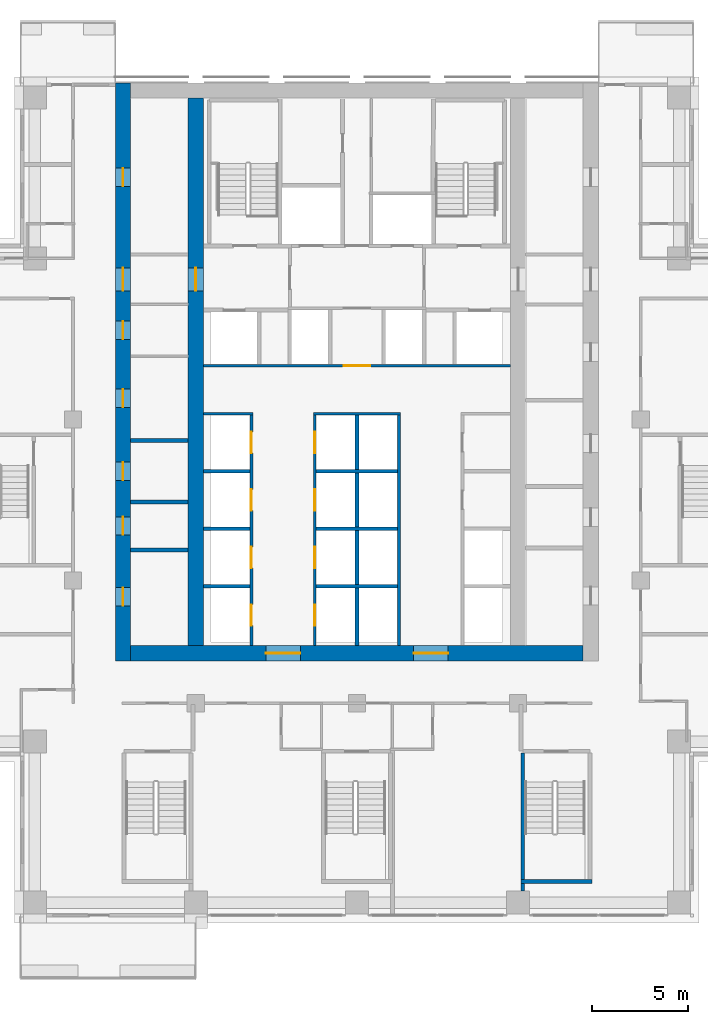
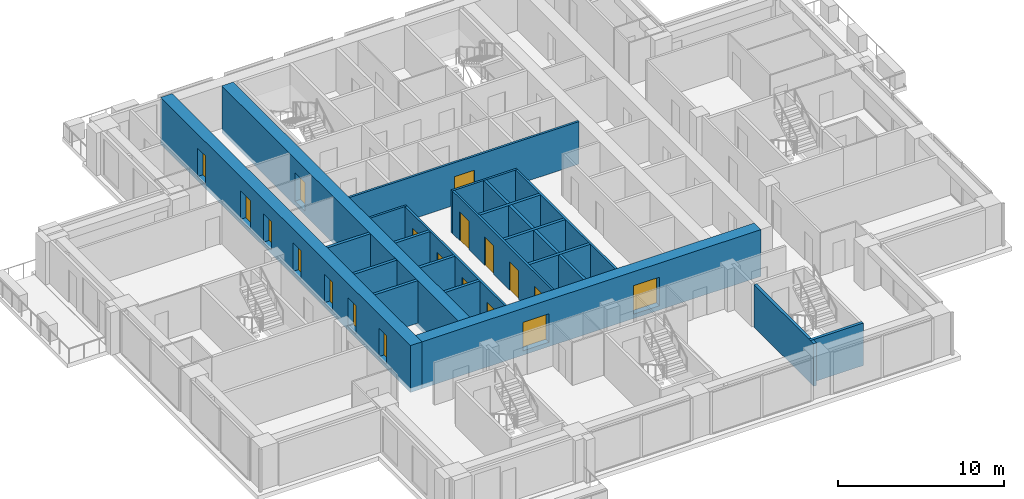
# One storey, part 8 of 17: 21 walls, 19 doors, 19 openings.
"""IFC4 building model written with IfcOpenShell, lengths in metres."""

from ifc_helpers import new_model, si_unit, direction, frame, frame_2d, origin, place, context, subcontext, project, spatial, rectangle, extrude, material, layer, layer_set, type_object, element, fill, save


model = new_model("IFC4")

# Units and contexts
model_context = context("Model", 3, precision=1e-05, world=origin(), true_north=direction((0.0, 1.0)))
body_context = subcontext(model_context, "Body", "Model", "MODEL_VIEW")
ifc_project = project(units=[si_unit("LENGTHUNIT", "METRE"), si_unit("AREAUNIT", "SQUARE_METRE"), si_unit("VOLUMEUNIT", "CUBIC_METRE"), si_unit("PLANEANGLEUNIT", "RADIAN"), si_unit("MASSUNIT", "GRAM", prefix="KILO")], contexts=[model_context])

# Site, building, storey
site_placement = place(None, origin())
site = spatial("IfcSite", under=ifc_project, at=site_placement, CompositionType="ELEMENT")
building_placement = place(site_placement, origin())
building = spatial("IfcBuilding", under=site, at=building_placement, Name="Vermilion Ogive Tower", CompositionType="ELEMENT")
storey_placement = place(building_placement, frame((0.0, 0.0, 87.300048828125)))
storey = spatial("IfcBuildingStorey", under=building, at=storey_placement, Name="L21", CompositionType="ELEMENT", Elevation=87.300048828125)

# Wall, openings, doors
ifc_material_1 = material(Name="Concrete B80", Category="concrete")
ifc_layer_1 = layer(ifc_material_1, 0.800048828125)
ifc_layer_set_1 = layer_set([ifc_layer_1], Name="Core wall 800 B80")
wall_type_1 = type_object("IfcWallType", Name="Core wall 800 B80", PredefinedType="SHEAR", material=ifc_layer_set_1)
wall_1_placement = place(storey_placement, frame((-12.199951171875, -8.39990234375, -0.320068359375), z_axis=(0.0, 0.0, 1.0), x_axis=(0.0, 1.0, 0.0)))
wall_1 = element("IfcWall", 1, at=wall_1_placement, inside=storey, type_object=wall_type_1, Name="L21-CORE-W", PredefinedType="SHEAR", context=body_context, shape_type="SweptSolid", body=[
    extrude(rectangle(XDim=30.14990234375, YDim=0.800048828125, at=frame_2d((15.074951171875, 0.0))), origin(), (0.0, 0.0, 1.0), 3.449951171875),
])
opening_1_placement = place(wall_1_placement, frame((2.875, 0.0, 0.320068359375)))
opening_1 = element("IfcOpeningElement", 2, at=opening_1_placement, cuts=wall_1, Name="Opening DAD034", PredefinedType="OPENING", context=body_context, shape_type="SweptSolid", body=[
    extrude(rectangle(XDim=0.949951171875, YDim=2.10009765625, at=frame_2d((0.47509765625, 1.050048828125))), frame((0.0, 0.409912109375, 0.0), z_axis=(0.0, -1.0, 0.0), x_axis=(1.0, 0.0, 0.0)), (0.0, 0.0, 1.0), 0.820068359375),
])
opening_2_placement = place(wall_1_placement, frame((6.574951171875, 0.0, 0.320068359375)))
opening_2 = element("IfcOpeningElement", 3, at=opening_2_placement, cuts=wall_1, Name="Opening DAD035", PredefinedType="OPENING", context=body_context, shape_type="SweptSolid", body=[
    extrude(rectangle(XDim=0.949951171875, YDim=2.10009765625, at=frame_2d((0.47509765625, 1.050048828125))), frame((0.0, 0.409912109375, 0.0), z_axis=(0.0, -1.0, 0.0), x_axis=(1.0, 0.0, 0.0)), (0.0, 0.0, 1.0), 0.820068359375),
])
opening_3_placement = place(wall_1_placement, frame((9.425048828125, 0.0, 0.320068359375)))
opening_3 = element("IfcOpeningElement", 4, at=opening_3_placement, cuts=wall_1, Name="Opening DAD036", PredefinedType="OPENING", context=body_context, shape_type="SweptSolid", body=[
    extrude(rectangle(XDim=0.949951171875, YDim=2.10009765625, at=frame_2d((0.47509765625, 1.050048828125))), frame((0.0, 0.409912109375, 0.0), z_axis=(0.0, -1.0, 0.0), x_axis=(1.0, 0.0, 0.0)), (0.0, 0.0, 1.0), 0.820068359375),
])
opening_4_placement = place(wall_1_placement, frame((13.22509765625, 0.0, 0.320068359375)))
opening_4 = element("IfcOpeningElement", 5, at=opening_4_placement, cuts=wall_1, Name="Opening DAD037", PredefinedType="OPENING", context=body_context, shape_type="SweptSolid", body=[
    extrude(rectangle(XDim=0.949951171875, YDim=2.10009765625, at=frame_2d((0.47509765625, 1.050048828125))), frame((0.0, 0.409912109375, 0.0), z_axis=(0.0, -1.0, 0.0), x_axis=(1.0, 0.0, 0.0)), (0.0, 0.0, 1.0), 0.820068359375),
])
opening_5_placement = place(wall_1_placement, frame((16.77490234375, 0.0, 0.320068359375)))
opening_5 = element("IfcOpeningElement", 6, at=opening_5_placement, cuts=wall_1, Name="Opening DAD038", PredefinedType="OPENING", context=body_context, shape_type="SweptSolid", body=[
    extrude(rectangle(XDim=0.949951171875, YDim=2.10009765625, at=frame_2d((0.47509765625, 1.050048828125))), frame((0.0, 0.409912109375, 0.0), z_axis=(0.0, -1.0, 0.0), x_axis=(1.0, 0.0, 0.0)), (0.0, 0.0, 1.0), 0.820068359375),
])
opening_6_placement = place(wall_1_placement, frame((24.75, 0.0, 0.320068359375)))
opening_6 = element("IfcOpeningElement", 7, at=opening_6_placement, cuts=wall_1, Name="Opening DAD039", PredefinedType="OPENING", context=body_context, shape_type="SweptSolid", body=[
    extrude(rectangle(XDim=0.949951171875, YDim=2.10009765625, at=frame_2d((0.47509765625, 1.050048828125))), frame((0.0, 0.409912109375, 0.0), z_axis=(0.0, -1.0, 0.0), x_axis=(1.0, 0.0, 0.0)), (0.0, 0.0, 1.0), 0.820068359375),
])
opening_7_placement = place(wall_1_placement, frame((19.300048828125, 0.0, 0.320068359375)))
opening_7 = element("IfcOpeningElement", 8, at=opening_7_placement, cuts=wall_1, Name="Opening DAM007", PredefinedType="OPENING", context=body_context, shape_type="SweptSolid", body=[
    extrude(rectangle(XDim=1.199951171875, YDim=2.10009765625, at=frame_2d((0.60009765625, 1.050048828125))), frame((0.0, 0.409912109375, 0.0), z_axis=(0.0, -1.0, 0.0), x_axis=(1.0, 0.0, 0.0)), (0.0, 0.0, 1.0), 0.820068359375),
])
ifc_material_2 = material(Name="Timber door leaf", Category="wood")
door_type_1 = type_object("IfcDoorType", Name="Link door 1200 x 2100 FD60S", OperationType="SINGLE_SWING_LEFT", PredefinedType="DOOR", material=ifc_material_2)
door_1_placement = place(opening_7_placement, origin())
door_1 = element("IfcDoor", 9, at=door_1_placement, inside=storey, type_object=door_type_1, Name="L21-CKW-XL", OperationType="SINGLE_SWING_LEFT", OverallHeight=2.10009765625, OverallWidth=1.199951171875, PredefinedType="DOOR", context=body_context, shape_type="SweptSolid", body=[
    extrude(rectangle(XDim=1.199951171875, YDim=2.10009765625, at=frame_2d((0.60009765625, 1.050048828125))), frame((0.0, 0.02490234375, 0.0), z_axis=(0.0, -1.0, 0.0), x_axis=(1.0, 0.0, 0.0)), (0.0, 0.0, 1.0), 0.050048828125),
])
fill(opening_7, door_1)
ifc_material_3 = material(Name="Timber door leaf", Category="wood")
door_type_2 = type_object("IfcDoorType", Name="Service door 950 x 2100 FD60", OperationType="SINGLE_SWING_LEFT", PredefinedType="DOOR", material=ifc_material_3)
door_2_placement = place(opening_1_placement, origin())
door_2 = element("IfcDoor", 10, at=door_2_placement, inside=storey, type_object=door_type_2, Name="L21-CKW-XR0", OperationType="SINGLE_SWING_LEFT", OverallHeight=2.10009765625, OverallWidth=0.949951171875, PredefinedType="DOOR", context=body_context, shape_type="SweptSolid", body=[
    extrude(rectangle(XDim=0.949951171875, YDim=2.10009765625, at=frame_2d((0.47509765625, 1.050048828125))), frame((0.0, 0.02490234375, 0.0), z_axis=(0.0, -1.0, 0.0), x_axis=(1.0, 0.0, 0.0)), (0.0, 0.0, 1.0), 0.050048828125),
])
fill(opening_1, door_2)
door_3_placement = place(opening_2_placement, origin())
door_3 = element("IfcDoor", 11, at=door_3_placement, inside=storey, type_object=door_type_2, Name="L21-CKW-XR1", OperationType="SINGLE_SWING_LEFT", OverallHeight=2.10009765625, OverallWidth=0.949951171875, PredefinedType="DOOR", context=body_context, shape_type="SweptSolid", body=[
    extrude(rectangle(XDim=0.949951171875, YDim=2.10009765625, at=frame_2d((0.47509765625, 1.050048828125))), frame((0.0, 0.02490234375, 0.0), z_axis=(0.0, -1.0, 0.0), x_axis=(1.0, 0.0, 0.0)), (0.0, 0.0, 1.0), 0.050048828125),
])
fill(opening_2, door_3)
door_4_placement = place(opening_3_placement, origin())
door_4 = element("IfcDoor", 12, at=door_4_placement, inside=storey, type_object=door_type_2, Name="L21-CKW-XR2", OperationType="SINGLE_SWING_LEFT", OverallHeight=2.10009765625, OverallWidth=0.949951171875, PredefinedType="DOOR", context=body_context, shape_type="SweptSolid", body=[
    extrude(rectangle(XDim=0.949951171875, YDim=2.10009765625, at=frame_2d((0.47509765625, 1.050048828125))), frame((0.0, 0.02490234375, 0.0), z_axis=(0.0, -1.0, 0.0), x_axis=(1.0, 0.0, 0.0)), (0.0, 0.0, 1.0), 0.050048828125),
])
fill(opening_3, door_4)
door_5_placement = place(opening_4_placement, origin())
door_5 = element("IfcDoor", 13, at=door_5_placement, inside=storey, type_object=door_type_2, Name="L21-CKW-XR3", OperationType="SINGLE_SWING_LEFT", OverallHeight=2.10009765625, OverallWidth=0.949951171875, PredefinedType="DOOR", context=body_context, shape_type="SweptSolid", body=[
    extrude(rectangle(XDim=0.949951171875, YDim=2.10009765625, at=frame_2d((0.47509765625, 1.050048828125))), frame((0.0, 0.02490234375, 0.0), z_axis=(0.0, -1.0, 0.0), x_axis=(1.0, 0.0, 0.0)), (0.0, 0.0, 1.0), 0.050048828125),
])
fill(opening_4, door_5)
door_6_placement = place(opening_5_placement, origin())
door_6 = element("IfcDoor", 14, at=door_6_placement, inside=storey, type_object=door_type_2, Name="L21-CKW-XR4", OperationType="SINGLE_SWING_LEFT", OverallHeight=2.10009765625, OverallWidth=0.949951171875, PredefinedType="DOOR", context=body_context, shape_type="SweptSolid", body=[
    extrude(rectangle(XDim=0.949951171875, YDim=2.10009765625, at=frame_2d((0.47509765625, 1.050048828125))), frame((0.0, 0.02490234375, 0.0), z_axis=(0.0, -1.0, 0.0), x_axis=(1.0, 0.0, 0.0)), (0.0, 0.0, 1.0), 0.050048828125),
])
fill(opening_5, door_6)
door_7_placement = place(opening_6_placement, origin())
door_7 = element("IfcDoor", 15, at=door_7_placement, inside=storey, type_object=door_type_2, Name="L21-CKW-XR5", OperationType="SINGLE_SWING_LEFT", OverallHeight=2.10009765625, OverallWidth=0.949951171875, PredefinedType="DOOR", context=body_context, shape_type="SweptSolid", body=[
    extrude(rectangle(XDim=0.949951171875, YDim=2.10009765625, at=frame_2d((0.47509765625, 1.050048828125))), frame((0.0, 0.02490234375, 0.0), z_axis=(0.0, -1.0, 0.0), x_axis=(1.0, 0.0, 0.0)), (0.0, 0.0, 1.0), 0.050048828125),
])
fill(opening_6, door_7)

wall_2_placement = place(storey_placement, frame((-11.800048828125, -8.0, -0.320068359375), z_axis=(0.0, 0.0, 1.0), x_axis=(1.0, 0.0, 0.0)))
wall_2 = element("IfcWall", 16, at=wall_2_placement, inside=storey, type_object=wall_type_1, Name="L21-CORE-S", PredefinedType="SHEAR", context=body_context, shape_type="SweptSolid", body=[
    extrude(rectangle(XDim=23.60009765625, YDim=0.800048828125, at=frame_2d((11.800048828125, 0.0))), origin(), (0.0, 0.0, 1.0), 3.449951171875),
])
opening_8_placement = place(wall_2_placement, frame((7.050048828125, 0.0, 0.320068359375)))
opening_8 = element("IfcOpeningElement", 17, at=opening_8_placement, cuts=wall_2, Name="Opening DAH013", PredefinedType="OPENING", context=body_context, shape_type="SweptSolid", body=[
    extrude(rectangle(XDim=1.800048828125, YDim=2.10009765625, at=frame_2d((0.89990234375, 1.050048828125))), frame((0.0, 0.409912109375, 0.0), z_axis=(0.0, -1.0, 0.0), x_axis=(1.0, 0.0, 0.0)), (0.0, 0.0, 1.0), 0.820068359375),
])
opening_9_placement = place(wall_2_placement, frame((14.75, 0.0, 0.320068359375)))
opening_9 = element("IfcOpeningElement", 18, at=opening_9_placement, cuts=wall_2, Name="Opening DAH014", PredefinedType="OPENING", context=body_context, shape_type="SweptSolid", body=[
    extrude(rectangle(XDim=1.800048828125, YDim=2.10009765625, at=frame_2d((0.89990234375, 1.050048828125))), frame((0.0, 0.409912109375, 0.0), z_axis=(0.0, -1.0, 0.0), x_axis=(1.0, 0.0, 0.0)), (0.0, 0.0, 1.0), 0.820068359375),
])
ifc_material_4 = material(Name="Timber door leaf", Category="wood")
door_type_3 = type_object("IfcDoorType", Name="Core entry door 1800 x 2100 FD60S", OperationType="DOUBLE_DOOR_SINGLE_SWING", PredefinedType="DOOR", material=ifc_material_4)
door_8_placement = place(opening_8_placement, origin())
door_8 = element("IfcDoor", 19, at=door_8_placement, inside=storey, type_object=door_type_3, Name="L21-CK-XD1", OperationType="SINGLE_SWING_LEFT", OverallHeight=2.10009765625, OverallWidth=1.800048828125, PredefinedType="DOOR", context=body_context, shape_type="SweptSolid", body=[
    extrude(rectangle(XDim=1.800048828125, YDim=2.10009765625, at=frame_2d((0.89990234375, 1.050048828125))), frame((0.0, 0.02490234375, 0.0), z_axis=(0.0, -1.0, 0.0), x_axis=(1.0, 0.0, 0.0)), (0.0, 0.0, 1.0), 0.050048828125),
])
fill(opening_8, door_8)
door_9_placement = place(opening_9_placement, origin())
door_9 = element("IfcDoor", 20, at=door_9_placement, inside=storey, type_object=door_type_3, Name="L21-CK-XD2", OperationType="SINGLE_SWING_LEFT", OverallHeight=2.10009765625, OverallWidth=1.800048828125, PredefinedType="DOOR", context=body_context, shape_type="SweptSolid", body=[
    extrude(rectangle(XDim=1.800048828125, YDim=2.10009765625, at=frame_2d((0.89990234375, 1.050048828125))), frame((0.0, 0.02490234375, 0.0), z_axis=(0.0, -1.0, 0.0), x_axis=(1.0, 0.0, 0.0)), (0.0, 0.0, 1.0), 0.050048828125),
])
fill(opening_9, door_9)

# Wall, opening, door
wall_3_placement = place(storey_placement, frame((-8.39990234375, -7.60009765625, -0.320068359375), z_axis=(0.0, 0.0, 1.0), x_axis=(0.0, 1.0, 0.0)))
wall_3 = element("IfcWall", 21, at=wall_3_placement, inside=storey, type_object=wall_type_1, Name="L21-CORE-WEB1", PredefinedType="SHEAR", context=body_context, shape_type="SweptSolid", body=[
    extrude(rectangle(XDim=28.550048828125, YDim=0.800048828125, at=frame_2d((14.27490234375, 0.0))), origin(), (0.0, 0.0, 1.0), 3.449951171875),
])
opening_10_placement = place(wall_3_placement, frame((18.5, 0.0, 0.320068359375)))
opening_10 = element("IfcOpeningElement", 22, at=opening_10_placement, cuts=wall_3, Name="Opening DAP007", PredefinedType="OPENING", context=body_context, shape_type="SweptSolid", body=[
    extrude(rectangle(XDim=1.199951171875, YDim=2.10009765625, at=frame_2d((0.60009765625, 1.050048828125))), frame((0.0, 0.409912109375, 0.0), z_axis=(0.0, -1.0, 0.0), x_axis=(1.0, 0.0, 0.0)), (0.0, 0.0, 1.0), 0.820068359375),
])
door_10_placement = place(opening_10_placement, origin())
door_10 = element("IfcDoor", 23, at=door_10_placement, inside=storey, type_object=door_type_1, Name="L21-CKW-XW", OperationType="SINGLE_SWING_LEFT", OverallHeight=2.10009765625, OverallWidth=1.199951171875, PredefinedType="DOOR", context=body_context, shape_type="SweptSolid", body=[
    extrude(rectangle(XDim=1.199951171875, YDim=2.10009765625, at=frame_2d((0.60009765625, 1.050048828125))), frame((0.0, 0.02490234375, 0.0), z_axis=(0.0, -1.0, 0.0), x_axis=(1.0, 0.0, 0.0)), (0.0, 0.0, 1.0), 0.050048828125),
])
fill(opening_10, door_10)

# Walls
ifc_material_5 = material(Name="Gypsum board partition on steel studs", Category="steel")
ifc_layer_2 = layer(ifc_material_5, 0.14990234375)
ifc_layer_set_2 = layer_set([ifc_layer_2], Name="Partition 150 corridor")
wall_type_2 = type_object("IfcWallType", Name="Partition 150 corridor", PredefinedType="PARTITIONING", material=ifc_layer_set_2)
wall_4_placement = place(storey_placement, frame((-7.9990234375, 4.5, 0.0), z_axis=(0.0, 0.0, 1.0), x_axis=(1.0, 0.0, 0.0)))
element("IfcWall", 24, at=wall_4_placement, inside=storey, type_object=wall_type_2, Name="L21-CK-W-W010", PredefinedType="PARTITIONING", context=body_context, shape_type="SweptSolid", body=[
    extrude(rectangle(XDim=2.573974609375, YDim=0.14990234375, at=frame_2d((1.287109375, 0.0))), origin(), (0.0, 0.0, 1.0), 3.1298828125),
])
wall_5_placement = place(storey_placement, frame((-2.27490234375, 4.5, 0.0), z_axis=(0.0, 0.0, 1.0), x_axis=(1.0, 0.0, 0.0)))
element("IfcWall", 25, at=wall_5_placement, inside=storey, type_object=wall_type_2, Name="L21-CK-W-W011", PredefinedType="PARTITIONING", context=body_context, shape_type="SweptSolid", body=[
    extrude(rectangle(XDim=4.5498046875, YDim=0.14990234375, at=frame_2d((2.27490234375, 0.0))), origin(), (0.0, 0.0, 1.0), 3.1298828125),
])

# Wall, opening, door
wall_6_placement = place(storey_placement, frame((-7.9990234375, 7.0, 0.0), z_axis=(0.0, 0.0, 1.0), x_axis=(1.0, 0.0, 0.0)))
wall_6 = element("IfcWall", 26, at=wall_6_placement, inside=storey, type_object=wall_type_2, Name="L21-CK-W-W013", PredefinedType="PARTITIONING", context=body_context, shape_type="SweptSolid", body=[
    extrude(rectangle(XDim=15.998046875, YDim=0.14990234375, at=frame_2d((7.9990234375, 0.0))), origin(), (0.0, 0.0, 1.0), 3.1298828125),
])
opening_11_placement = place(wall_6_placement, frame((7.299072265625, 0.0, 0.0)))
opening_11 = element("IfcOpeningElement", 27, at=opening_11_placement, cuts=wall_6, Name="Opening DAA140", PredefinedType="OPENING", context=body_context, shape_type="SweptSolid", body=[
    extrude(rectangle(XDim=1.39990234375, YDim=2.10009765625, at=frame_2d((0.699951171875, 1.050048828125))), frame((0.0, 0.0849609375, 0.0), z_axis=(0.0, -1.0, 0.0), x_axis=(1.0, 0.0, 0.0)), (0.0, 0.0, 1.0), 0.169921875),
])
ifc_material_6 = material(Name="Timber door leaf", Category="wood")
door_type_4 = type_object("IfcDoorType", Name="Lobby door 1400 x 2100 FD60S", OperationType="SINGLE_SWING_LEFT", PredefinedType="DOOR", material=ifc_material_6)
door_11_placement = place(opening_11_placement, origin())
door_11 = element("IfcDoor", 28, at=door_11_placement, inside=storey, type_object=door_type_4, Name="L21-CK-D-D015", OperationType="SINGLE_SWING_RIGHT", OverallHeight=2.10009765625, OverallWidth=1.39990234375, PredefinedType="DOOR", context=body_context, shape_type="SweptSolid", body=[
    extrude(rectangle(XDim=1.39990234375, YDim=2.10009765625, at=frame_2d((0.699951171875, 1.050048828125))), frame((0.0, 0.02490234375, 0.0), z_axis=(0.0, -1.0, 0.0), x_axis=(1.0, 0.0, 0.0)), (0.0, 0.0, 1.0), 0.050048828125),
])
fill(opening_11, door_11)

# Wall, openings, doors
wall_7_placement = place(storey_placement, frame((-5.5, -7.59912109375, 0.0), z_axis=(0.0, 0.0, 1.0), x_axis=(0.0, 1.0, 0.0)))
wall_7 = element("IfcWall", 29, at=wall_7_placement, inside=storey, type_object=wall_type_2, Name="L21-CK-W-W022", PredefinedType="PARTITIONING", context=body_context, shape_type="SweptSolid", body=[
    extrude(rectangle(XDim=12.024169921875, YDim=0.14990234375, at=frame_2d((6.01220703125, 0.0))), origin(), (0.0, 0.0, 1.0), 3.1298828125),
])
opening_12_placement = place(wall_7_placement, frame((1.049072265625, 0.0, 0.0)))
opening_12 = element("IfcOpeningElement", 30, at=opening_12_placement, cuts=wall_7, Name="Opening DAA149", PredefinedType="OPENING", context=body_context, shape_type="SweptSolid", body=[
    extrude(rectangle(XDim=1.10009765625, YDim=2.10009765625, at=frame_2d((0.550048828125, 1.050048828125))), frame((0.0, 0.0849609375, 0.0), z_axis=(0.0, -1.0, 0.0), x_axis=(1.0, 0.0, 0.0)), (0.0, 0.0, 1.0), 0.169921875),
])
opening_13_placement = place(wall_7_placement, frame((4.049072265625, 0.0, 0.0)))
opening_13 = element("IfcOpeningElement", 31, at=opening_13_placement, cuts=wall_7, Name="Opening DAA152", PredefinedType="OPENING", context=body_context, shape_type="SweptSolid", body=[
    extrude(rectangle(XDim=1.10009765625, YDim=2.10009765625, at=frame_2d((0.550048828125, 1.050048828125))), frame((0.0, 0.0849609375, 0.0), z_axis=(0.0, -1.0, 0.0), x_axis=(1.0, 0.0, 0.0)), (0.0, 0.0, 1.0), 0.169921875),
])
opening_14_placement = place(wall_7_placement, frame((7.049072265625, 0.0, 0.0)))
opening_14 = element("IfcOpeningElement", 32, at=opening_14_placement, cuts=wall_7, Name="Opening DAA153", PredefinedType="OPENING", context=body_context, shape_type="SweptSolid", body=[
    extrude(rectangle(XDim=1.10009765625, YDim=2.10009765625, at=frame_2d((0.550048828125, 1.050048828125))), frame((0.0, 0.0849609375, 0.0), z_axis=(0.0, -1.0, 0.0), x_axis=(1.0, 0.0, 0.0)), (0.0, 0.0, 1.0), 0.169921875),
])
opening_15_placement = place(wall_7_placement, frame((10.049072265625, 0.0, 0.0)))
opening_15 = element("IfcOpeningElement", 33, at=opening_15_placement, cuts=wall_7, Name="Opening DAA154", PredefinedType="OPENING", context=body_context, shape_type="SweptSolid", body=[
    extrude(rectangle(XDim=1.10009765625, YDim=2.10009765625, at=frame_2d((0.550048828125, 1.050048828125))), frame((0.0, 0.0849609375, 0.0), z_axis=(0.0, -1.0, 0.0), x_axis=(1.0, 0.0, 0.0)), (0.0, 0.0, 1.0), 0.169921875),
])
ifc_material_7 = material(Name="Stainless steel", Category="steel")
door_type_5 = type_object("IfcDoorType", Name="Lift landing door 1100 x 2100", OperationType="SLIDING_TO_LEFT", PredefinedType="DOOR", material=ifc_material_7)
door_12_placement = place(opening_12_placement, origin())
door_12 = element("IfcDoor", 34, at=door_12_placement, inside=storey, type_object=door_type_5, Name="L21-CK-D-D001", OperationType="SLIDING_TO_LEFT", OverallHeight=2.10009765625, OverallWidth=1.10009765625, PredefinedType="DOOR", context=body_context, shape_type="SweptSolid", body=[
    extrude(rectangle(XDim=1.10009765625, YDim=2.10009765625, at=frame_2d((0.550048828125, 1.050048828125))), frame((0.0, 0.02490234375, 0.0), z_axis=(0.0, -1.0, 0.0), x_axis=(1.0, 0.0, 0.0)), (0.0, 0.0, 1.0), 0.050048828125),
])
fill(opening_12, door_12)
door_13_placement = place(opening_13_placement, origin())
door_13 = element("IfcDoor", 35, at=door_13_placement, inside=storey, type_object=door_type_5, Name="L21-CK-D-D002", OperationType="SLIDING_TO_LEFT", OverallHeight=2.10009765625, OverallWidth=1.10009765625, PredefinedType="DOOR", context=body_context, shape_type="SweptSolid", body=[
    extrude(rectangle(XDim=1.10009765625, YDim=2.10009765625, at=frame_2d((0.550048828125, 1.050048828125))), frame((0.0, 0.02490234375, 0.0), z_axis=(0.0, -1.0, 0.0), x_axis=(1.0, 0.0, 0.0)), (0.0, 0.0, 1.0), 0.050048828125),
])
fill(opening_13, door_13)
door_14_placement = place(opening_14_placement, origin())
door_14 = element("IfcDoor", 36, at=door_14_placement, inside=storey, type_object=door_type_5, Name="L21-CK-D-D003", OperationType="SLIDING_TO_LEFT", OverallHeight=2.10009765625, OverallWidth=1.10009765625, PredefinedType="DOOR", context=body_context, shape_type="SweptSolid", body=[
    extrude(rectangle(XDim=1.10009765625, YDim=2.10009765625, at=frame_2d((0.550048828125, 1.050048828125))), frame((0.0, 0.02490234375, 0.0), z_axis=(0.0, -1.0, 0.0), x_axis=(1.0, 0.0, 0.0)), (0.0, 0.0, 1.0), 0.050048828125),
])
fill(opening_14, door_14)
door_15_placement = place(opening_15_placement, origin())
door_15 = element("IfcDoor", 37, at=door_15_placement, inside=storey, type_object=door_type_5, Name="L21-CK-D-D004", OperationType="SLIDING_TO_LEFT", OverallHeight=2.10009765625, OverallWidth=1.10009765625, PredefinedType="DOOR", context=body_context, shape_type="SweptSolid", body=[
    extrude(rectangle(XDim=1.10009765625, YDim=2.10009765625, at=frame_2d((0.550048828125, 1.050048828125))), frame((0.0, 0.02490234375, 0.0), z_axis=(0.0, -1.0, 0.0), x_axis=(1.0, 0.0, 0.0)), (0.0, 0.0, 1.0), 0.050048828125),
])
fill(opening_15, door_15)

wall_8_placement = place(storey_placement, frame((-2.199951171875, -7.59912109375, 0.0), z_axis=(0.0, 0.0, 1.0), x_axis=(0.0, 1.0, 0.0)))
wall_8 = element("IfcWall", 38, at=wall_8_placement, inside=storey, type_object=wall_type_2, Name="L21-CK-W-W027", PredefinedType="PARTITIONING", context=body_context, shape_type="SweptSolid", body=[
    extrude(rectangle(XDim=12.024169921875, YDim=0.14990234375, at=frame_2d((6.01220703125, 0.0))), origin(), (0.0, 0.0, 1.0), 3.1298828125),
])
opening_16_placement = place(wall_8_placement, frame((1.049072265625, 0.0, 0.0)))
opening_16 = element("IfcOpeningElement", 39, at=opening_16_placement, cuts=wall_8, Name="Opening DAA155", PredefinedType="OPENING", context=body_context, shape_type="SweptSolid", body=[
    extrude(rectangle(XDim=1.10009765625, YDim=2.10009765625, at=frame_2d((0.550048828125, 1.050048828125))), frame((0.0, 0.0849609375, 0.0), z_axis=(0.0, -1.0, 0.0), x_axis=(1.0, 0.0, 0.0)), (0.0, 0.0, 1.0), 0.169921875),
])
opening_17_placement = place(wall_8_placement, frame((4.049072265625, 0.0, 0.0)))
opening_17 = element("IfcOpeningElement", 40, at=opening_17_placement, cuts=wall_8, Name="Opening DAA156", PredefinedType="OPENING", context=body_context, shape_type="SweptSolid", body=[
    extrude(rectangle(XDim=1.10009765625, YDim=2.10009765625, at=frame_2d((0.550048828125, 1.050048828125))), frame((0.0, 0.0849609375, 0.0), z_axis=(0.0, -1.0, 0.0), x_axis=(1.0, 0.0, 0.0)), (0.0, 0.0, 1.0), 0.169921875),
])
opening_18_placement = place(wall_8_placement, frame((7.049072265625, 0.0, 0.0)))
opening_18 = element("IfcOpeningElement", 41, at=opening_18_placement, cuts=wall_8, Name="Opening DAA157", PredefinedType="OPENING", context=body_context, shape_type="SweptSolid", body=[
    extrude(rectangle(XDim=1.10009765625, YDim=2.10009765625, at=frame_2d((0.550048828125, 1.050048828125))), frame((0.0, 0.0849609375, 0.0), z_axis=(0.0, -1.0, 0.0), x_axis=(1.0, 0.0, 0.0)), (0.0, 0.0, 1.0), 0.169921875),
])
opening_19_placement = place(wall_8_placement, frame((10.049072265625, 0.0, 0.0)))
opening_19 = element("IfcOpeningElement", 42, at=opening_19_placement, cuts=wall_8, Name="Opening DAA158", PredefinedType="OPENING", context=body_context, shape_type="SweptSolid", body=[
    extrude(rectangle(XDim=1.10009765625, YDim=2.10009765625, at=frame_2d((0.550048828125, 1.050048828125))), frame((0.0, 0.0849609375, 0.0), z_axis=(0.0, -1.0, 0.0), x_axis=(1.0, 0.0, 0.0)), (0.0, 0.0, 1.0), 0.169921875),
])
door_16_placement = place(opening_16_placement, origin())
door_16 = element("IfcDoor", 43, at=door_16_placement, inside=storey, type_object=door_type_5, Name="L21-CK-D-D005", OperationType="SLIDING_TO_LEFT", OverallHeight=2.10009765625, OverallWidth=1.10009765625, PredefinedType="DOOR", context=body_context, shape_type="SweptSolid", body=[
    extrude(rectangle(XDim=1.10009765625, YDim=2.10009765625, at=frame_2d((0.550048828125, 1.050048828125))), frame((0.0, 0.02490234375, 0.0), z_axis=(0.0, -1.0, 0.0), x_axis=(1.0, 0.0, 0.0)), (0.0, 0.0, 1.0), 0.050048828125),
])
fill(opening_16, door_16)
door_17_placement = place(opening_17_placement, origin())
door_17 = element("IfcDoor", 44, at=door_17_placement, inside=storey, type_object=door_type_5, Name="L21-CK-D-D006", OperationType="SLIDING_TO_LEFT", OverallHeight=2.10009765625, OverallWidth=1.10009765625, PredefinedType="DOOR", context=body_context, shape_type="SweptSolid", body=[
    extrude(rectangle(XDim=1.10009765625, YDim=2.10009765625, at=frame_2d((0.550048828125, 1.050048828125))), frame((0.0, 0.02490234375, 0.0), z_axis=(0.0, -1.0, 0.0), x_axis=(1.0, 0.0, 0.0)), (0.0, 0.0, 1.0), 0.050048828125),
])
fill(opening_17, door_17)
door_18_placement = place(opening_18_placement, origin())
door_18 = element("IfcDoor", 45, at=door_18_placement, inside=storey, type_object=door_type_5, Name="L21-CK-D-D007", OperationType="SLIDING_TO_LEFT", OverallHeight=2.10009765625, OverallWidth=1.10009765625, PredefinedType="DOOR", context=body_context, shape_type="SweptSolid", body=[
    extrude(rectangle(XDim=1.10009765625, YDim=2.10009765625, at=frame_2d((0.550048828125, 1.050048828125))), frame((0.0, 0.02490234375, 0.0), z_axis=(0.0, -1.0, 0.0), x_axis=(1.0, 0.0, 0.0)), (0.0, 0.0, 1.0), 0.050048828125),
])
fill(opening_18, door_18)
door_19_placement = place(opening_19_placement, origin())
door_19 = element("IfcDoor", 46, at=door_19_placement, inside=storey, type_object=door_type_5, Name="L21-CK-D-D008", OperationType="SLIDING_TO_LEFT", OverallHeight=2.10009765625, OverallWidth=1.10009765625, PredefinedType="DOOR", context=body_context, shape_type="SweptSolid", body=[
    extrude(rectangle(XDim=1.10009765625, YDim=2.10009765625, at=frame_2d((0.550048828125, 1.050048828125))), frame((0.0, 0.02490234375, 0.0), z_axis=(0.0, -1.0, 0.0), x_axis=(1.0, 0.0, 0.0)), (0.0, 0.0, 1.0), 0.050048828125),
])
fill(opening_19, door_19)

# Walls
wall_9_placement = place(storey_placement, frame((2.199951171875, -7.59912109375, 0.0), z_axis=(0.0, 0.0, 1.0), x_axis=(0.0, 1.0, 0.0)))
element("IfcWall", 47, at=wall_9_placement, inside=storey, type_object=wall_type_2, Name="L21-CK-W-W034", PredefinedType="PARTITIONING", context=body_context, shape_type="SweptSolid", body=[
    extrude(rectangle(XDim=12.024169921875, YDim=0.14990234375, at=frame_2d((6.01220703125, 0.0))), origin(), (0.0, 0.0, 1.0), 3.1298828125),
])
ifc_material_8 = material(Name="Gypsum board partition on steel studs", Category="steel")
ifc_layer_3 = layer(ifc_material_8, 0.199951171875)
ifc_layer_set_3 = layer_set([ifc_layer_3], Name="Partition 200 party")
wall_type_3 = type_object("IfcWallType", Name="Partition 200 party", PredefinedType="PARTITIONING", material=ifc_layer_set_3)
wall_10_placement = place(storey_placement, frame((-7.9990234375, -4.5, 0.0), z_axis=(0.0, 0.0, 1.0), x_axis=(1.0, 0.0, 0.0)))
element("IfcWall", 48, at=wall_10_placement, inside=storey, type_object=wall_type_3, Name="L21-CK-W-W001", PredefinedType="PARTITIONING", context=body_context, shape_type="SweptSolid", body=[
    extrude(rectangle(XDim=2.424072265625, YDim=0.199951171875, at=frame_2d((1.2119140625, 0.0))), origin(), (0.0, 0.0, 1.0), 3.1298828125),
])
wall_11_placement = place(storey_placement, frame((-2.125, -4.5, 0.0), z_axis=(0.0, 0.0, 1.0), x_axis=(1.0, 0.0, 0.0)))
element("IfcWall", 49, at=wall_11_placement, inside=storey, type_object=wall_type_3, Name="L21-CK-W-W002", PredefinedType="PARTITIONING", context=body_context, shape_type="SweptSolid", body=[
    extrude(rectangle(XDim=4.25, YDim=0.199951171875, at=frame_2d((2.125, 0.0))), origin(), (0.0, 0.0, 1.0), 3.1298828125),
])
wall_12_placement = place(storey_placement, frame((-7.9990234375, -1.5, 0.0), z_axis=(0.0, 0.0, 1.0), x_axis=(1.0, 0.0, 0.0)))
element("IfcWall", 50, at=wall_12_placement, inside=storey, type_object=wall_type_3, Name="L21-CK-W-W004", PredefinedType="PARTITIONING", context=body_context, shape_type="SweptSolid", body=[
    extrude(rectangle(XDim=2.424072265625, YDim=0.199951171875, at=frame_2d((1.2119140625, 0.0))), origin(), (0.0, 0.0, 1.0), 3.1298828125),
])
wall_13_placement = place(storey_placement, frame((-2.125, -1.5, 0.0), z_axis=(0.0, 0.0, 1.0), x_axis=(1.0, 0.0, 0.0)))
element("IfcWall", 51, at=wall_13_placement, inside=storey, type_object=wall_type_3, Name="L21-CK-W-W005", PredefinedType="PARTITIONING", context=body_context, shape_type="SweptSolid", body=[
    extrude(rectangle(XDim=4.25, YDim=0.199951171875, at=frame_2d((2.125, 0.0))), origin(), (0.0, 0.0, 1.0), 3.1298828125),
])
wall_14_placement = place(storey_placement, frame((-7.9990234375, 1.5, 0.0), z_axis=(0.0, 0.0, 1.0), x_axis=(1.0, 0.0, 0.0)))
element("IfcWall", 52, at=wall_14_placement, inside=storey, type_object=wall_type_3, Name="L21-CK-W-W007", PredefinedType="PARTITIONING", context=body_context, shape_type="SweptSolid", body=[
    extrude(rectangle(XDim=2.424072265625, YDim=0.199951171875, at=frame_2d((1.2119140625, 0.0))), origin(), (0.0, 0.0, 1.0), 3.1298828125),
])
wall_15_placement = place(storey_placement, frame((-2.125, 1.5, 0.0), z_axis=(0.0, 0.0, 1.0), x_axis=(1.0, 0.0, 0.0)))
element("IfcWall", 53, at=wall_15_placement, inside=storey, type_object=wall_type_3, Name="L21-CK-W-W008", PredefinedType="PARTITIONING", context=body_context, shape_type="SweptSolid", body=[
    extrude(rectangle(XDim=4.25, YDim=0.199951171875, at=frame_2d((2.125, 0.0))), origin(), (0.0, 0.0, 1.0), 3.1298828125),
])
wall_16_placement = place(storey_placement, frame((0.0, -7.59912109375, 0.0), z_axis=(0.0, 0.0, 1.0), x_axis=(0.0, 1.0, 0.0)))
element("IfcWall", 54, at=wall_16_placement, inside=storey, type_object=wall_type_3, Name="L21-CK-W-W030", PredefinedType="PARTITIONING", context=body_context, shape_type="SweptSolid", body=[
    extrude(rectangle(XDim=12.024169921875, YDim=0.199951171875, at=frame_2d((6.01220703125, 0.0))), origin(), (0.0, 0.0, 1.0), 3.1298828125),
])
for number, where, z_axis, x_axis, name in (
    (55, (-11.799072265625, -2.60009765625, 0.0), (0.0, 0.0, 1.0), (1.0, 0.0, 0.0), "L21-CKW-W-W001"),
    (56, (-11.799072265625, -0.10009765625, 0.0), (0.0, 0.0, 1.0), (1.0, 0.0, 0.0), "L21-CKW-W-W002"),
    (57, (-11.799072265625, 3.10009765625, 0.0), (0.0, 0.0, 1.0), (1.0, 0.0, 0.0), "L21-CKW-W-W003"),
):
    element("IfcWall", number, at=place(storey_placement, frame(where, z_axis=z_axis, x_axis=x_axis)), inside=storey, type_object=wall_type_3, Name=name, PredefinedType="PARTITIONING", context=body_context, shape_type="SweptSolid", body=[
        extrude(rectangle(XDim=2.998046875, YDim=0.199951171875, at=frame_2d((1.4990234375, 0.0))), origin(), (0.0, 0.0, 1.0), 3.1298828125),
    ])
ifc_material_9 = material(Name="Concrete B60", Category="concrete")
ifc_layer_4 = layer(ifc_material_9, 0.199951171875)
ifc_layer_set_4 = layer_set([ifc_layer_4], Name="Stair shaft wall 200 Concrete B60")
wall_type_4 = type_object("IfcWallType", Name="Stair shaft wall 200 Concrete B60", PredefinedType="SOLIDWALL", material=ifc_layer_set_4)
wall_17_placement = place(storey_placement, frame((8.550048828125, -19.89990234375, 0.0), z_axis=(0.0, 0.0, 1.0), x_axis=(1.0, 0.0, 0.0)))
element("IfcWall", 58, at=wall_17_placement, inside=storey, type_object=wall_type_4, Name="L21-SW-ST5-S1", PredefinedType="SOLIDWALL", context=body_context, shape_type="SweptSolid", body=[
    extrude(rectangle(XDim=3.699951171875, YDim=0.199951171875, at=frame_2d((1.85009765625, 0.0))), origin(), (0.0, 0.0, 1.0), 3.1298828125),
])
wall_18_placement = place(storey_placement, frame((8.64990234375, -20.39990234375, 0.0), z_axis=(0.0, 0.0, 1.0), x_axis=(0.0, 1.0, 0.0)))
element("IfcWall", 59, at=wall_18_placement, inside=storey, type_object=wall_type_4, Name="L21-SW-ST5-W1", PredefinedType="SOLIDWALL", context=body_context, shape_type="SweptSolid", body=[
    extrude(rectangle(XDim=7.199951171875, YDim=0.199951171875, at=frame_2d((3.60009765625, 0.0))), origin(), (0.0, 0.0, 1.0), 3.1298828125),
])

save(model, "model.ifc")
